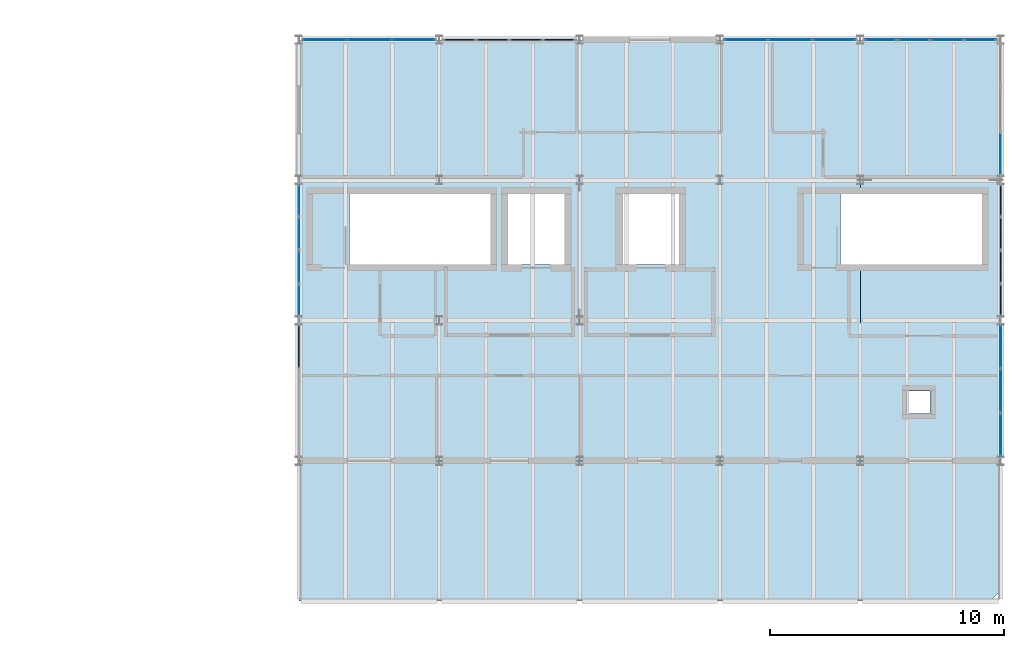
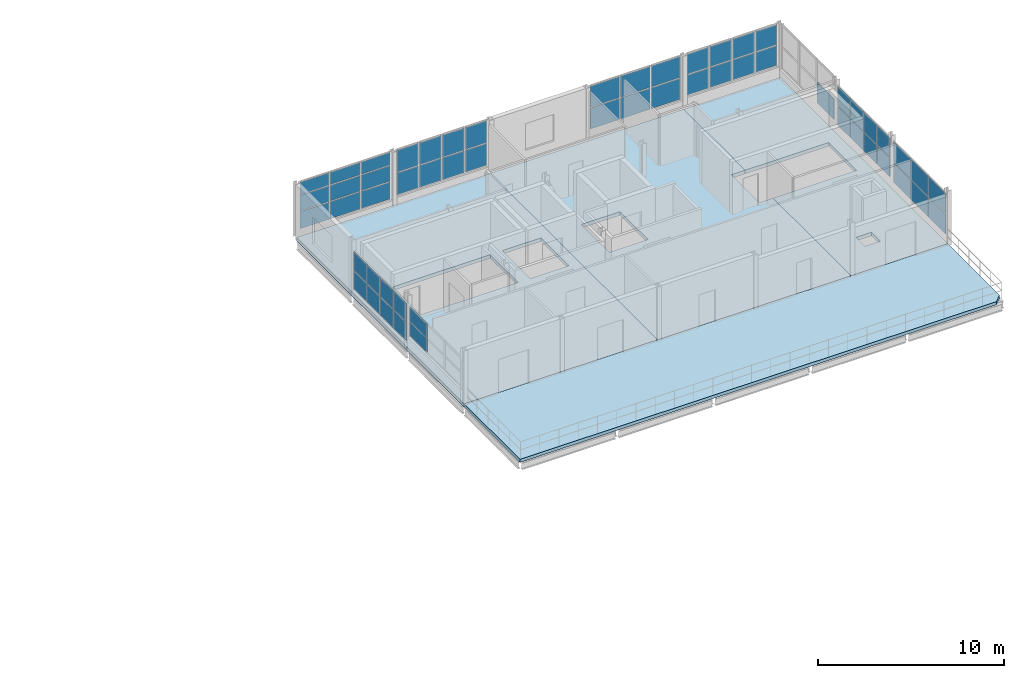
# One storey, part 11 of 20: 56 plates, 4 slabs, 9 elements without a shape of their own.
"""IFC4 building model written with IfcOpenShell, lengths in metres."""

from ifc_helpers import new_model, si_unit, direction, frame, origin, origin_2d, place, context, subcontext, project, spatial, polyline, rectangle, outline, extrude, material, layer, layer_set, type_object, element, aggregate, save


model = new_model("IFC4")

# Units and contexts
model_context = context("Model", 3, precision=1e-05, world=origin(), true_north=direction((0.0, 1.0)))
body_context = subcontext(model_context, "Body", "Model", "MODEL_VIEW")
ifc_project = project(units=[si_unit("LENGTHUNIT", "METRE"), si_unit("AREAUNIT", "SQUARE_METRE"), si_unit("VOLUMEUNIT", "CUBIC_METRE"), si_unit("PLANEANGLEUNIT", "RADIAN"), si_unit("MASSUNIT", "GRAM", prefix="KILO")], contexts=[model_context])

# Site, building, storey
site_placement = place(None, origin())
site = spatial("IfcSite", under=ifc_project, at=site_placement, CompositionType="ELEMENT")
building_placement = place(site_placement, origin())
building = spatial("IfcBuilding", under=site, at=building_placement, Name="Siltcreek Boulevard Central Fire Station", CompositionType="ELEMENT")
storey_placement = place(building_placement, frame((0.0, 0.0, 18.0)))
storey = spatial("IfcBuildingStorey", under=building, at=storey_placement, Name="L05", CompositionType="ELEMENT", Elevation=18.0)

# Curtain wall, plates
ifc_material_1 = material(Name="Anodized aluminum and low-E insulated glazing", Category="aluminium")
curtain_wall_type_1 = type_object("IfcCurtainWallType", Name="CW_SYS_28", PredefinedType="USERDEFINED", material=ifc_material_1)
curtain_wall_1_placement = place(storey_placement, origin())
curtain_wall_1 = element("IfcCurtainWall", 1, at=curtain_wall_1_placement, inside=storey, type_object=curtain_wall_type_1, Name="L05 V5 unitised curtain wall CW-177", ObjectType="CURTAIN WALL", PredefinedType="USERDEFINED")
ifc_material_2 = material(Name="Low-E double insulated glass unit", Category="glass")
ifc_layer_1 = layer(ifc_material_2, 0.028076171875, Name="Low-E double insulated glass unit")
ifc_layer_set_1 = layer_set([ifc_layer_1], Name="Low-E double insulated glass unit")
plate_type_1 = type_object("IfcPlateType", Name="CWP_GLZ_1", PredefinedType="CURTAIN_PANEL", material=ifc_layer_set_1)
plate_1_placement = place(storey_placement, frame((147.08837890625, 112.199951171875, 0.739990234375), z_axis=(0.0, 0.0, 1.0), x_axis=(-1.0, 0.0, 0.0)))
plate_1 = element("IfcPlate", 2, at=plate_1_placement, type_object=plate_type_1, Name="CW-177 panel 1.1", PredefinedType="CURTAIN_PANEL", context=body_context, shape_type="SweptSolid", body=[
    extrude(rectangle(XDim=1.813232421875, YDim=0.028076171875, at=origin_2d()), origin(), (0.0, 0.0, 1.0), 1.3701171875),
])
plate_2_placement = place(storey_placement, frame((147.08837890625, 112.199951171875, 2.169921875), z_axis=(0.0, 0.0, 1.0), x_axis=(-1.0, 0.0, 0.0)))
plate_2 = element("IfcPlate", 3, at=plate_2_placement, type_object=plate_type_1, Name="CW-177 panel 1.2", PredefinedType="CURTAIN_PANEL", context=body_context, shape_type="SweptSolid", body=[
    extrude(rectangle(XDim=1.813232421875, YDim=0.028076171875, at=origin_2d()), origin(), (0.0, 0.0, 1.0), 1.3701171875),
])
plate_3_placement = place(storey_placement, frame((145.199951171875, 112.199951171875, 0.739990234375), z_axis=(0.0, 0.0, 1.0), x_axis=(-1.0, 0.0, 0.0)))
plate_3 = element("IfcPlate", 4, at=plate_3_placement, type_object=plate_type_1, Name="CW-177 panel 2.1", PredefinedType="CURTAIN_PANEL", context=body_context, shape_type="SweptSolid", body=[
    extrude(rectangle(XDim=1.84326171875, YDim=0.028076171875, at=origin_2d()), origin(), (0.0, 0.0, 1.0), 1.3701171875),
])
plate_4_placement = place(storey_placement, frame((145.199951171875, 112.199951171875, 2.169921875), z_axis=(0.0, 0.0, 1.0), x_axis=(-1.0, 0.0, 0.0)))
plate_4 = element("IfcPlate", 5, at=plate_4_placement, type_object=plate_type_1, Name="CW-177 panel 2.2", PredefinedType="CURTAIN_PANEL", context=body_context, shape_type="SweptSolid", body=[
    extrude(rectangle(XDim=1.84326171875, YDim=0.028076171875, at=origin_2d()), origin(), (0.0, 0.0, 1.0), 1.3701171875),
])
plate_5_placement = place(storey_placement, frame((143.311767578125, 112.199951171875, 0.739990234375), z_axis=(0.0, 0.0, 1.0), x_axis=(-1.0, 0.0, 0.0)))
plate_5 = element("IfcPlate", 6, at=plate_5_placement, type_object=plate_type_1, Name="CW-177 panel 3.1", PredefinedType="CURTAIN_PANEL", context=body_context, shape_type="SweptSolid", body=[
    extrude(rectangle(XDim=1.813232421875, YDim=0.028076171875, at=origin_2d()), origin(), (0.0, 0.0, 1.0), 1.3701171875),
])
plate_6_placement = place(storey_placement, frame((143.311767578125, 112.199951171875, 2.169921875), z_axis=(0.0, 0.0, 1.0), x_axis=(-1.0, 0.0, 0.0)))
plate_6 = element("IfcPlate", 7, at=plate_6_placement, type_object=plate_type_1, Name="CW-177 panel 3.2", PredefinedType="CURTAIN_PANEL", context=body_context, shape_type="SweptSolid", body=[
    extrude(rectangle(XDim=1.813232421875, YDim=0.028076171875, at=origin_2d()), origin(), (0.0, 0.0, 1.0), 1.3701171875),
])
aggregate(curtain_wall_1, [plate_1, plate_2, plate_3, plate_4, plate_5, plate_6])

curtain_wall_type_2 = type_object("IfcCurtainWallType", Name="CW_SYS_01", PredefinedType="USERDEFINED", material=ifc_material_1)
curtain_wall_2_placement = place(storey_placement, origin())
curtain_wall_2 = element("IfcCurtainWall", 8, at=curtain_wall_2_placement, inside=storey, type_object=curtain_wall_type_2, Name="L05 V5 unitised curtain wall CW-180", ObjectType="CURTAIN WALL", PredefinedType="USERDEFINED")
plate_7_placement = place(storey_placement, frame((124.199951171875, 105.324951171875, 0.38525390625), z_axis=(0.0, 0.0, 1.0), x_axis=(0.0, -1.0, 0.0)))
plate_7 = element("IfcPlate", 9, at=plate_7_placement, type_object=plate_type_1, Name="CW-180 panel 1.1", PredefinedType="CURTAIN_PANEL", context=body_context, shape_type="SweptSolid", body=[
    extrude(rectangle(XDim=1.330078125, YDim=0.028076171875, at=origin_2d()), origin(), (0.0, 0.0, 1.0), 1.181884765625),
])
plate_8_placement = place(storey_placement, frame((124.199951171875, 105.324951171875, 1.6318359375), z_axis=(0.0, 0.0, 1.0), x_axis=(0.0, -1.0, 0.0)))
plate_8 = element("IfcPlate", 10, at=plate_8_placement, type_object=plate_type_1, Name="CW-180 panel 1.2", PredefinedType="CURTAIN_PANEL", context=body_context, shape_type="SweptSolid", body=[
    extrude(rectangle(XDim=1.330078125, YDim=0.028076171875, at=origin_2d()), origin(), (0.0, 0.0, 1.0), 1.181884765625),
])
plate_9_placement = place(storey_placement, frame((124.199951171875, 103.913818359375, 0.38525390625), z_axis=(0.0, 0.0, 1.0), x_axis=(0.0, -1.0, 0.0)))
plate_9 = element("IfcPlate", 11, at=plate_9_placement, type_object=plate_type_1, Name="CW-180 panel 2.1", PredefinedType="CURTAIN_PANEL", context=body_context, shape_type="SweptSolid", body=[
    extrude(rectangle(XDim=1.362548828125, YDim=0.028076171875, at=origin_2d()), origin(), (0.0, 0.0, 1.0), 1.181884765625),
])
plate_10_placement = place(storey_placement, frame((124.199951171875, 103.913818359375, 1.6318359375), z_axis=(0.0, 0.0, 1.0), x_axis=(0.0, -1.0, 0.0)))
plate_10 = element("IfcPlate", 12, at=plate_10_placement, type_object=plate_type_1, Name="CW-180 panel 2.2", PredefinedType="CURTAIN_PANEL", context=body_context, shape_type="SweptSolid", body=[
    extrude(rectangle(XDim=1.362548828125, YDim=0.028076171875, at=origin_2d()), origin(), (0.0, 0.0, 1.0), 1.181884765625),
])
plate_11_placement = place(storey_placement, frame((124.199951171875, 102.486328125, 0.38525390625), z_axis=(0.0, 0.0, 1.0), x_axis=(0.0, -1.0, 0.0)))
plate_11 = element("IfcPlate", 13, at=plate_11_placement, type_object=plate_type_1, Name="CW-180 panel 3.1", PredefinedType="CURTAIN_PANEL", context=body_context, shape_type="SweptSolid", body=[
    extrude(rectangle(XDim=1.362548828125, YDim=0.028076171875, at=origin_2d()), origin(), (0.0, 0.0, 1.0), 1.181884765625),
])
plate_12_placement = place(storey_placement, frame((124.199951171875, 102.486328125, 1.6318359375), z_axis=(0.0, 0.0, 1.0), x_axis=(0.0, -1.0, 0.0)))
plate_12 = element("IfcPlate", 14, at=plate_12_placement, type_object=plate_type_1, Name="CW-180 panel 3.2", PredefinedType="CURTAIN_PANEL", context=body_context, shape_type="SweptSolid", body=[
    extrude(rectangle(XDim=1.362548828125, YDim=0.028076171875, at=origin_2d()), origin(), (0.0, 0.0, 1.0), 1.181884765625),
])
plate_13_placement = place(storey_placement, frame((124.199951171875, 101.074951171875, 0.38525390625), z_axis=(0.0, 0.0, 1.0), x_axis=(0.0, -1.0, 0.0)))
plate_13 = element("IfcPlate", 15, at=plate_13_placement, type_object=plate_type_1, Name="CW-180 panel 4.1", PredefinedType="CURTAIN_PANEL", context=body_context, shape_type="SweptSolid", body=[
    extrude(rectangle(XDim=1.330078125, YDim=0.028076171875, at=origin_2d()), origin(), (0.0, 0.0, 1.0), 1.181884765625),
])
plate_14_placement = place(storey_placement, frame((124.199951171875, 101.074951171875, 1.6318359375), z_axis=(0.0, 0.0, 1.0), x_axis=(0.0, -1.0, 0.0)))
plate_14 = element("IfcPlate", 16, at=plate_14_placement, type_object=plate_type_1, Name="CW-180 panel 4.2", PredefinedType="CURTAIN_PANEL", context=body_context, shape_type="SweptSolid", body=[
    extrude(rectangle(XDim=1.330078125, YDim=0.028076171875, at=origin_2d()), origin(), (0.0, 0.0, 1.0), 1.181884765625),
])
aggregate(curtain_wall_2, [plate_7, plate_8, plate_9, plate_10, plate_11, plate_12, plate_13, plate_14])

# Curtain wall, plate
curtain_wall_type_3 = type_object("IfcCurtainWallType", Name="CW_SYS_04", PredefinedType="USERDEFINED", material=ifc_material_1)
curtain_wall_3_placement = place(storey_placement, origin())
curtain_wall_3 = element("IfcCurtainWall", 17, at=curtain_wall_3_placement, inside=storey, type_object=curtain_wall_type_3, Name="L05 V5 unitised curtain wall CW-183", ObjectType="CURTAIN WALL", PredefinedType="USERDEFINED")
plate_15_placement = place(storey_placement, frame((154.199951171875, 107.311767578125, 0.739990234375), z_axis=(0.0, 0.0, 1.0), x_axis=(0.0, 1.0, 0.0)))
plate_15 = element("IfcPlate", 18, at=plate_15_placement, type_object=plate_type_1, Name="CW-183 panel 1.1", PredefinedType="CURTAIN_PANEL", context=body_context, shape_type="SweptSolid", body=[
    extrude(rectangle(XDim=1.813232421875, YDim=0.028076171875, at=origin_2d()), origin(), (0.0, 0.0, 1.0), 1.3701171875),
])
aggregate(curtain_wall_3, [plate_15])

# Curtain wall, plates
curtain_wall_type_4 = type_object("IfcCurtainWallType", Name="CW_SYS_26", PredefinedType="USERDEFINED", material=ifc_material_1)
curtain_wall_4_placement = place(storey_placement, origin())
curtain_wall_4 = element("IfcCurtainWall", 19, at=curtain_wall_4_placement, inside=storey, type_object=curtain_wall_type_4, Name="L05 V5 unitised curtain wall CW-175", ObjectType="CURTAIN WALL", PredefinedType="USERDEFINED")
ifc_layer_2 = layer(ifc_material_2, 0.0380859375, Name="Low-E double insulated glass unit")
ifc_layer_set_2 = layer_set([ifc_layer_2], Name="Low-E double insulated glass unit")
plate_type_2 = type_object("IfcPlateType", Name="CWP_GLZ_2", PredefinedType="CURTAIN_PANEL", material=ifc_layer_set_2)
plate_16_placement = place(storey_placement, frame((129.08837890625, 112.199951171875, 0.5), z_axis=(0.0, 0.0, 1.0), x_axis=(-1.0, 0.0, 0.0)))
plate_16 = element("IfcPlate", 20, at=plate_16_placement, type_object=plate_type_2, Name="CW-175 panel 1.1", PredefinedType="CURTAIN_PANEL", context=body_context, shape_type="SweptSolid", body=[
    extrude(rectangle(XDim=1.813232421875, YDim=0.0380859375, at=origin_2d()), origin(), (0.0, 0.0, 1.0), 1.11083984375),
])
plate_17_placement = place(storey_placement, frame((129.08837890625, 112.199951171875, 1.6708984375), z_axis=(0.0, 0.0, 1.0), x_axis=(-1.0, 0.0, 0.0)))
plate_17 = element("IfcPlate", 21, at=plate_17_placement, type_object=plate_type_2, Name="CW-175 panel 1.2", PredefinedType="CURTAIN_PANEL", context=body_context, shape_type="SweptSolid", body=[
    extrude(rectangle(XDim=1.813232421875, YDim=0.0380859375, at=origin_2d()), origin(), (0.0, 0.0, 1.0), 1.014404296875),
])
plate_18_placement = place(storey_placement, frame((129.08837890625, 112.199951171875, 2.7451171875), z_axis=(0.0, 0.0, 1.0), x_axis=(-1.0, 0.0, 0.0)))
plate_18 = element("IfcPlate", 22, at=plate_18_placement, type_object=plate_type_2, Name="CW-175 panel 1.3", PredefinedType="CURTAIN_PANEL", context=body_context, shape_type="SweptSolid", body=[
    extrude(rectangle(XDim=1.813232421875, YDim=0.0380859375, at=origin_2d()), origin(), (0.0, 0.0, 1.0), 0.794921875),
])
plate_19_placement = place(storey_placement, frame((127.199951171875, 112.199951171875, 0.5), z_axis=(0.0, 0.0, 1.0), x_axis=(-1.0, 0.0, 0.0)))
plate_19 = element("IfcPlate", 23, at=plate_19_placement, type_object=plate_type_2, Name="CW-175 panel 2.1", PredefinedType="CURTAIN_PANEL", context=body_context, shape_type="SweptSolid", body=[
    extrude(rectangle(XDim=1.84326171875, YDim=0.0380859375, at=origin_2d()), origin(), (0.0, 0.0, 1.0), 1.11083984375),
])
plate_20_placement = place(storey_placement, frame((127.199951171875, 112.199951171875, 1.6708984375), z_axis=(0.0, 0.0, 1.0), x_axis=(-1.0, 0.0, 0.0)))
plate_20 = element("IfcPlate", 24, at=plate_20_placement, type_object=plate_type_2, Name="CW-175 panel 2.2", PredefinedType="CURTAIN_PANEL", context=body_context, shape_type="SweptSolid", body=[
    extrude(rectangle(XDim=1.84326171875, YDim=0.0380859375, at=origin_2d()), origin(), (0.0, 0.0, 1.0), 1.014404296875),
])
plate_21_placement = place(storey_placement, frame((127.199951171875, 112.199951171875, 2.7451171875), z_axis=(0.0, 0.0, 1.0), x_axis=(-1.0, 0.0, 0.0)))
plate_21 = element("IfcPlate", 25, at=plate_21_placement, type_object=plate_type_2, Name="CW-175 panel 2.3", PredefinedType="CURTAIN_PANEL", context=body_context, shape_type="SweptSolid", body=[
    extrude(rectangle(XDim=1.84326171875, YDim=0.0380859375, at=origin_2d()), origin(), (0.0, 0.0, 1.0), 0.794921875),
])
plate_22_placement = place(storey_placement, frame((125.311767578125, 112.199951171875, 0.5), z_axis=(0.0, 0.0, 1.0), x_axis=(-1.0, 0.0, 0.0)))
plate_22 = element("IfcPlate", 26, at=plate_22_placement, type_object=plate_type_2, Name="CW-175 panel 3.1", PredefinedType="CURTAIN_PANEL", context=body_context, shape_type="SweptSolid", body=[
    extrude(rectangle(XDim=1.813232421875, YDim=0.0380859375, at=origin_2d()), origin(), (0.0, 0.0, 1.0), 1.11083984375),
])
plate_23_placement = place(storey_placement, frame((125.311767578125, 112.199951171875, 1.6708984375), z_axis=(0.0, 0.0, 1.0), x_axis=(-1.0, 0.0, 0.0)))
plate_23 = element("IfcPlate", 27, at=plate_23_placement, type_object=plate_type_2, Name="CW-175 panel 3.2", PredefinedType="CURTAIN_PANEL", context=body_context, shape_type="SweptSolid", body=[
    extrude(rectangle(XDim=1.813232421875, YDim=0.0380859375, at=origin_2d()), origin(), (0.0, 0.0, 1.0), 1.014404296875),
])
plate_24_placement = place(storey_placement, frame((125.311767578125, 112.199951171875, 2.7451171875), z_axis=(0.0, 0.0, 1.0), x_axis=(-1.0, 0.0, 0.0)))
plate_24 = element("IfcPlate", 28, at=plate_24_placement, type_object=plate_type_2, Name="CW-175 panel 3.3", PredefinedType="CURTAIN_PANEL", context=body_context, shape_type="SweptSolid", body=[
    extrude(rectangle(XDim=1.813232421875, YDim=0.0380859375, at=origin_2d()), origin(), (0.0, 0.0, 1.0), 0.794921875),
])
aggregate(curtain_wall_4, [plate_16, plate_17, plate_18, plate_19, plate_20, plate_21, plate_22, plate_23, plate_24])

curtain_wall_type_5 = type_object("IfcCurtainWallType", Name="CW_SYS_29", PredefinedType="USERDEFINED", material=ifc_material_1)
curtain_wall_5_placement = place(storey_placement, origin())
curtain_wall_5 = element("IfcCurtainWall", 29, at=curtain_wall_5_placement, inside=storey, type_object=curtain_wall_type_5, Name="L05 V5 unitised curtain wall CW-178", ObjectType="CURTAIN WALL", PredefinedType="USERDEFINED")
plate_25_placement = place(storey_placement, frame((153.324951171875, 112.199951171875, 0.865234375), z_axis=(0.0, 0.0, 1.0), x_axis=(-1.0, 0.0, 0.0)))
plate_25 = element("IfcPlate", 30, at=plate_25_placement, type_object=plate_type_2, Name="CW-178 panel 1.1", PredefinedType="CURTAIN_PANEL", context=body_context, shape_type="SweptSolid", body=[
    extrude(rectangle(XDim=1.330078125, YDim=0.0380859375, at=origin_2d()), origin(), (0.0, 0.0, 1.0), 1.302490234375),
])
plate_26_placement = place(storey_placement, frame((153.324951171875, 112.199951171875, 2.232421875), z_axis=(0.0, 0.0, 1.0), x_axis=(-1.0, 0.0, 0.0)))
plate_26 = element("IfcPlate", 31, at=plate_26_placement, type_object=plate_type_2, Name="CW-178 panel 1.2", PredefinedType="CURTAIN_PANEL", context=body_context, shape_type="SweptSolid", body=[
    extrude(rectangle(XDim=1.330078125, YDim=0.0380859375, at=origin_2d()), origin(), (0.0, 0.0, 1.0), 1.302490234375),
])
plate_27_placement = place(storey_placement, frame((151.913818359375, 112.199951171875, 0.865234375), z_axis=(0.0, 0.0, 1.0), x_axis=(-1.0, 0.0, 0.0)))
plate_27 = element("IfcPlate", 32, at=plate_27_placement, type_object=plate_type_2, Name="CW-178 panel 2.1", PredefinedType="CURTAIN_PANEL", context=body_context, shape_type="SweptSolid", body=[
    extrude(rectangle(XDim=1.362548828125, YDim=0.0380859375, at=origin_2d()), origin(), (0.0, 0.0, 1.0), 1.302490234375),
])
plate_28_placement = place(storey_placement, frame((151.913818359375, 112.199951171875, 2.232421875), z_axis=(0.0, 0.0, 1.0), x_axis=(-1.0, 0.0, 0.0)))
plate_28 = element("IfcPlate", 33, at=plate_28_placement, type_object=plate_type_2, Name="CW-178 panel 2.2", PredefinedType="CURTAIN_PANEL", context=body_context, shape_type="SweptSolid", body=[
    extrude(rectangle(XDim=1.362548828125, YDim=0.0380859375, at=origin_2d()), origin(), (0.0, 0.0, 1.0), 1.302490234375),
])
plate_29_placement = place(storey_placement, frame((150.486328125, 112.199951171875, 0.865234375), z_axis=(0.0, 0.0, 1.0), x_axis=(-1.0, 0.0, 0.0)))
plate_29 = element("IfcPlate", 34, at=plate_29_placement, type_object=plate_type_2, Name="CW-178 panel 3.1", PredefinedType="CURTAIN_PANEL", context=body_context, shape_type="SweptSolid", body=[
    extrude(rectangle(XDim=1.362548828125, YDim=0.0380859375, at=origin_2d()), origin(), (0.0, 0.0, 1.0), 1.302490234375),
])
plate_30_placement = place(storey_placement, frame((150.486328125, 112.199951171875, 2.232421875), z_axis=(0.0, 0.0, 1.0), x_axis=(-1.0, 0.0, 0.0)))
plate_30 = element("IfcPlate", 35, at=plate_30_placement, type_object=plate_type_2, Name="CW-178 panel 3.2", PredefinedType="CURTAIN_PANEL", context=body_context, shape_type="SweptSolid", body=[
    extrude(rectangle(XDim=1.362548828125, YDim=0.0380859375, at=origin_2d()), origin(), (0.0, 0.0, 1.0), 1.302490234375),
])
plate_31_placement = place(storey_placement, frame((149.074951171875, 112.199951171875, 0.865234375), z_axis=(0.0, 0.0, 1.0), x_axis=(-1.0, 0.0, 0.0)))
plate_31 = element("IfcPlate", 36, at=plate_31_placement, type_object=plate_type_2, Name="CW-178 panel 4.1", PredefinedType="CURTAIN_PANEL", context=body_context, shape_type="SweptSolid", body=[
    extrude(rectangle(XDim=1.330078125, YDim=0.0380859375, at=origin_2d()), origin(), (0.0, 0.0, 1.0), 1.302490234375),
])
plate_32_placement = place(storey_placement, frame((149.074951171875, 112.199951171875, 2.232421875), z_axis=(0.0, 0.0, 1.0), x_axis=(-1.0, 0.0, 0.0)))
plate_32 = element("IfcPlate", 37, at=plate_32_placement, type_object=plate_type_2, Name="CW-178 panel 4.2", PredefinedType="CURTAIN_PANEL", context=body_context, shape_type="SweptSolid", body=[
    extrude(rectangle(XDim=1.330078125, YDim=0.0380859375, at=origin_2d()), origin(), (0.0, 0.0, 1.0), 1.302490234375),
])
aggregate(curtain_wall_5, [plate_25, plate_26, plate_27, plate_28, plate_29, plate_30, plate_31, plate_32])

curtain_wall_type_6 = type_object("IfcCurtainWallType", Name="CW_SYS_02", PredefinedType="USERDEFINED", material=ifc_material_1)
curtain_wall_6_placement = place(storey_placement, origin())
curtain_wall_6 = element("IfcCurtainWall", 38, at=curtain_wall_6_placement, inside=storey, type_object=curtain_wall_type_6, Name="L05 V5 unitised curtain wall CW-181", ObjectType="CURTAIN WALL", PredefinedType="USERDEFINED")
plate_33_placement = place(storey_placement, frame((154.199951171875, 95.311767578125, 0.5), z_axis=(0.0, 0.0, 1.0), x_axis=(0.0, 1.0, 0.0)))
plate_33 = element("IfcPlate", 39, at=plate_33_placement, type_object=plate_type_2, Name="CW-181 panel 1.1", PredefinedType="CURTAIN_PANEL", context=body_context, shape_type="SweptSolid", body=[
    extrude(rectangle(XDim=1.813232421875, YDim=0.0380859375, at=origin_2d()), origin(), (0.0, 0.0, 1.0), 1.299560546875),
])
plate_34_placement = place(storey_placement, frame((154.199951171875, 95.311767578125, 1.859375), z_axis=(0.0, 0.0, 1.0), x_axis=(0.0, 1.0, 0.0)))
plate_34 = element("IfcPlate", 40, at=plate_34_placement, type_object=plate_type_2, Name="CW-181 panel 1.2", PredefinedType="CURTAIN_PANEL", context=body_context, shape_type="SweptSolid", body=[
    extrude(rectangle(XDim=1.813232421875, YDim=0.0380859375, at=origin_2d()), origin(), (0.0, 0.0, 1.0), 1.299560546875),
])
plate_35_placement = place(storey_placement, frame((154.199951171875, 97.199951171875, 0.5), z_axis=(0.0, 0.0, 1.0), x_axis=(0.0, 1.0, 0.0)))
plate_35 = element("IfcPlate", 41, at=plate_35_placement, type_object=plate_type_2, Name="CW-181 panel 2.1", PredefinedType="CURTAIN_PANEL", context=body_context, shape_type="SweptSolid", body=[
    extrude(rectangle(XDim=1.84326171875, YDim=0.0380859375, at=origin_2d()), origin(), (0.0, 0.0, 1.0), 1.299560546875),
])
plate_36_placement = place(storey_placement, frame((154.199951171875, 97.199951171875, 1.859375), z_axis=(0.0, 0.0, 1.0), x_axis=(0.0, 1.0, 0.0)))
plate_36 = element("IfcPlate", 42, at=plate_36_placement, type_object=plate_type_2, Name="CW-181 panel 2.2", PredefinedType="CURTAIN_PANEL", context=body_context, shape_type="SweptSolid", body=[
    extrude(rectangle(XDim=1.84326171875, YDim=0.0380859375, at=origin_2d()), origin(), (0.0, 0.0, 1.0), 1.299560546875),
])
plate_37_placement = place(storey_placement, frame((154.199951171875, 99.08837890625, 0.5), z_axis=(0.0, 0.0, 1.0), x_axis=(0.0, 1.0, 0.0)))
plate_37 = element("IfcPlate", 43, at=plate_37_placement, type_object=plate_type_2, Name="CW-181 panel 3.1", PredefinedType="CURTAIN_PANEL", context=body_context, shape_type="SweptSolid", body=[
    extrude(rectangle(XDim=1.813232421875, YDim=0.0380859375, at=origin_2d()), origin(), (0.0, 0.0, 1.0), 1.299560546875),
])
plate_38_placement = place(storey_placement, frame((154.199951171875, 99.08837890625, 1.859375), z_axis=(0.0, 0.0, 1.0), x_axis=(0.0, 1.0, 0.0)))
plate_38 = element("IfcPlate", 44, at=plate_38_placement, type_object=plate_type_2, Name="CW-181 panel 3.2", PredefinedType="CURTAIN_PANEL", context=body_context, shape_type="SweptSolid", body=[
    extrude(rectangle(XDim=1.813232421875, YDim=0.0380859375, at=origin_2d()), origin(), (0.0, 0.0, 1.0), 1.299560546875),
])
aggregate(curtain_wall_6, [plate_33, plate_34, plate_35, plate_36, plate_37, plate_38])

curtain_wall_type_7 = type_object("IfcCurtainWallType", Name="CW_SYS_27", PredefinedType="USERDEFINED", material=ifc_material_1)
curtain_wall_7_placement = place(storey_placement, origin())
curtain_wall_7 = element("IfcCurtainWall", 45, at=curtain_wall_7_placement, inside=storey, type_object=curtain_wall_type_7, Name="L05 V5 unitised curtain wall CW-176", ObjectType="CURTAIN WALL", PredefinedType="USERDEFINED")
ifc_layer_3 = layer(ifc_material_2, 0.048095703125, Name="Low-E double insulated glass unit")
ifc_layer_set_3 = layer_set([ifc_layer_3], Name="Low-E double insulated glass unit")
plate_type_3 = type_object("IfcPlateType", Name="CWP_GLZ_3", PredefinedType="CURTAIN_PANEL", material=ifc_layer_set_3)
plate_39_placement = place(storey_placement, frame((135.324951171875, 112.199951171875, 0.625), z_axis=(0.0, 0.0, 1.0), x_axis=(-1.0, 0.0, 0.0)))
plate_39 = element("IfcPlate", 46, at=plate_39_placement, type_object=plate_type_3, Name="CW-176 panel 1.1", PredefinedType="CURTAIN_PANEL", context=body_context, shape_type="SweptSolid", body=[
    extrude(rectangle(XDim=1.330078125, YDim=0.048095703125, at=origin_2d()), origin(), (0.0, 0.0, 1.0), 1.422607421875),
])
plate_40_placement = place(storey_placement, frame((135.324951171875, 112.199951171875, 2.1123046875), z_axis=(0.0, 0.0, 1.0), x_axis=(-1.0, 0.0, 0.0)))
plate_40 = element("IfcPlate", 47, at=plate_40_placement, type_object=plate_type_3, Name="CW-176 panel 1.2", PredefinedType="CURTAIN_PANEL", context=body_context, shape_type="SweptSolid", body=[
    extrude(rectangle(XDim=1.330078125, YDim=0.048095703125, at=origin_2d()), origin(), (0.0, 0.0, 1.0), 1.422607421875),
])
plate_41_placement = place(storey_placement, frame((133.913818359375, 112.199951171875, 0.625), z_axis=(0.0, 0.0, 1.0), x_axis=(-1.0, 0.0, 0.0)))
plate_41 = element("IfcPlate", 48, at=plate_41_placement, type_object=plate_type_3, Name="CW-176 panel 2.1", PredefinedType="CURTAIN_PANEL", context=body_context, shape_type="SweptSolid", body=[
    extrude(rectangle(XDim=1.362548828125, YDim=0.048095703125, at=origin_2d()), origin(), (0.0, 0.0, 1.0), 1.422607421875),
])
plate_42_placement = place(storey_placement, frame((133.913818359375, 112.199951171875, 2.1123046875), z_axis=(0.0, 0.0, 1.0), x_axis=(-1.0, 0.0, 0.0)))
plate_42 = element("IfcPlate", 49, at=plate_42_placement, type_object=plate_type_3, Name="CW-176 panel 2.2", PredefinedType="CURTAIN_PANEL", context=body_context, shape_type="SweptSolid", body=[
    extrude(rectangle(XDim=1.362548828125, YDim=0.048095703125, at=origin_2d()), origin(), (0.0, 0.0, 1.0), 1.422607421875),
])
plate_43_placement = place(storey_placement, frame((132.486328125, 112.199951171875, 0.625), z_axis=(0.0, 0.0, 1.0), x_axis=(-1.0, 0.0, 0.0)))
plate_43 = element("IfcPlate", 50, at=plate_43_placement, type_object=plate_type_3, Name="CW-176 panel 3.1", PredefinedType="CURTAIN_PANEL", context=body_context, shape_type="SweptSolid", body=[
    extrude(rectangle(XDim=1.362548828125, YDim=0.048095703125, at=origin_2d()), origin(), (0.0, 0.0, 1.0), 1.422607421875),
])
plate_44_placement = place(storey_placement, frame((132.486328125, 112.199951171875, 2.1123046875), z_axis=(0.0, 0.0, 1.0), x_axis=(-1.0, 0.0, 0.0)))
plate_44 = element("IfcPlate", 51, at=plate_44_placement, type_object=plate_type_3, Name="CW-176 panel 3.2", PredefinedType="CURTAIN_PANEL", context=body_context, shape_type="SweptSolid", body=[
    extrude(rectangle(XDim=1.362548828125, YDim=0.048095703125, at=origin_2d()), origin(), (0.0, 0.0, 1.0), 1.422607421875),
])
plate_45_placement = place(storey_placement, frame((131.074951171875, 112.199951171875, 0.625), z_axis=(0.0, 0.0, 1.0), x_axis=(-1.0, 0.0, 0.0)))
plate_45 = element("IfcPlate", 52, at=plate_45_placement, type_object=plate_type_3, Name="CW-176 panel 4.1", PredefinedType="CURTAIN_PANEL", context=body_context, shape_type="SweptSolid", body=[
    extrude(rectangle(XDim=1.330078125, YDim=0.048095703125, at=origin_2d()), origin(), (0.0, 0.0, 1.0), 1.422607421875),
])
plate_46_placement = place(storey_placement, frame((131.074951171875, 112.199951171875, 2.1123046875), z_axis=(0.0, 0.0, 1.0), x_axis=(-1.0, 0.0, 0.0)))
plate_46 = element("IfcPlate", 53, at=plate_46_placement, type_object=plate_type_3, Name="CW-176 panel 4.2", PredefinedType="CURTAIN_PANEL", context=body_context, shape_type="SweptSolid", body=[
    extrude(rectangle(XDim=1.330078125, YDim=0.048095703125, at=origin_2d()), origin(), (0.0, 0.0, 1.0), 1.422607421875),
])
aggregate(curtain_wall_7, [plate_39, plate_40, plate_41, plate_42, plate_43, plate_44, plate_45, plate_46])

curtain_wall_type_8 = type_object("IfcCurtainWallType", Name="CW_SYS_30", PredefinedType="USERDEFINED", material=ifc_material_1)
curtain_wall_8_placement = place(storey_placement, origin())
curtain_wall_8 = element("IfcCurtainWall", 54, at=curtain_wall_8_placement, inside=storey, type_object=curtain_wall_type_8, Name="L05 V5 unitised curtain wall CW-179", ObjectType="CURTAIN WALL", PredefinedType="USERDEFINED")
plate_47_placement = place(storey_placement, frame((124.199951171875, 99.08837890625, 0.97998046875), z_axis=(0.0, 0.0, 1.0), x_axis=(0.0, -1.0, 0.0)))
plate_47 = element("IfcPlate", 55, at=plate_47_placement, type_object=plate_type_3, Name="CW-179 panel 1.1", PredefinedType="CURTAIN_PANEL", context=body_context, shape_type="SweptSolid", body=[
    extrude(rectangle(XDim=1.813232421875, YDim=0.048095703125, at=origin_2d()), origin(), (0.0, 0.0, 1.0), 0.889404296875),
])
plate_48_placement = place(storey_placement, frame((124.199951171875, 99.08837890625, 1.9296875), z_axis=(0.0, 0.0, 1.0), x_axis=(0.0, -1.0, 0.0)))
plate_48 = element("IfcPlate", 56, at=plate_48_placement, type_object=plate_type_3, Name="CW-179 panel 1.2", PredefinedType="CURTAIN_PANEL", context=body_context, shape_type="SweptSolid", body=[
    extrude(rectangle(XDim=1.813232421875, YDim=0.048095703125, at=origin_2d()), origin(), (0.0, 0.0, 1.0), 0.889404296875),
])
aggregate(curtain_wall_8, [plate_47, plate_48])

curtain_wall_type_9 = type_object("IfcCurtainWallType", Name="CW_SYS_03", PredefinedType="USERDEFINED", material=ifc_material_1)
curtain_wall_9_placement = place(storey_placement, origin())
curtain_wall_9 = element("IfcCurtainWall", 57, at=curtain_wall_9_placement, inside=storey, type_object=curtain_wall_type_9, Name="L05 V5 unitised curtain wall CW-182", ObjectType="CURTAIN WALL", PredefinedType="USERDEFINED")
plate_49_placement = place(storey_placement, frame((154.199951171875, 101.074951171875, 0.625), z_axis=(0.0, 0.0, 1.0), x_axis=(0.0, 1.0, 0.0)))
plate_49 = element("IfcPlate", 58, at=plate_49_placement, type_object=plate_type_3, Name="CW-182 panel 1.1", PredefinedType="CURTAIN_PANEL", context=body_context, shape_type="SweptSolid", body=[
    extrude(rectangle(XDim=1.330078125, YDim=0.048095703125, at=origin_2d()), origin(), (0.0, 0.0, 1.0), 1.23193359375),
])
plate_50_placement = place(storey_placement, frame((154.199951171875, 101.074951171875, 1.922119140625), z_axis=(0.0, 0.0, 1.0), x_axis=(0.0, 1.0, 0.0)))
plate_50 = element("IfcPlate", 59, at=plate_50_placement, type_object=plate_type_3, Name="CW-182 panel 1.2", PredefinedType="CURTAIN_PANEL", context=body_context, shape_type="SweptSolid", body=[
    extrude(rectangle(XDim=1.330078125, YDim=0.048095703125, at=origin_2d()), origin(), (0.0, 0.0, 1.0), 1.23193359375),
])
plate_51_placement = place(storey_placement, frame((154.199951171875, 102.486328125, 0.625), z_axis=(0.0, 0.0, 1.0), x_axis=(0.0, 1.0, 0.0)))
plate_51 = element("IfcPlate", 60, at=plate_51_placement, type_object=plate_type_3, Name="CW-182 panel 2.1", PredefinedType="CURTAIN_PANEL", context=body_context, shape_type="SweptSolid", body=[
    extrude(rectangle(XDim=1.362548828125, YDim=0.048095703125, at=origin_2d()), origin(), (0.0, 0.0, 1.0), 1.23193359375),
])
plate_52_placement = place(storey_placement, frame((154.199951171875, 102.486328125, 1.922119140625), z_axis=(0.0, 0.0, 1.0), x_axis=(0.0, 1.0, 0.0)))
plate_52 = element("IfcPlate", 61, at=plate_52_placement, type_object=plate_type_3, Name="CW-182 panel 2.2", PredefinedType="CURTAIN_PANEL", context=body_context, shape_type="SweptSolid", body=[
    extrude(rectangle(XDim=1.362548828125, YDim=0.048095703125, at=origin_2d()), origin(), (0.0, 0.0, 1.0), 1.23193359375),
])
plate_53_placement = place(storey_placement, frame((154.199951171875, 103.913818359375, 0.625), z_axis=(0.0, 0.0, 1.0), x_axis=(0.0, 1.0, 0.0)))
plate_53 = element("IfcPlate", 62, at=plate_53_placement, type_object=plate_type_3, Name="CW-182 panel 3.1", PredefinedType="CURTAIN_PANEL", context=body_context, shape_type="SweptSolid", body=[
    extrude(rectangle(XDim=1.362548828125, YDim=0.048095703125, at=origin_2d()), origin(), (0.0, 0.0, 1.0), 1.23193359375),
])
plate_54_placement = place(storey_placement, frame((154.199951171875, 103.913818359375, 1.922119140625), z_axis=(0.0, 0.0, 1.0), x_axis=(0.0, 1.0, 0.0)))
plate_54 = element("IfcPlate", 63, at=plate_54_placement, type_object=plate_type_3, Name="CW-182 panel 3.2", PredefinedType="CURTAIN_PANEL", context=body_context, shape_type="SweptSolid", body=[
    extrude(rectangle(XDim=1.362548828125, YDim=0.048095703125, at=origin_2d()), origin(), (0.0, 0.0, 1.0), 1.23193359375),
])
plate_55_placement = place(storey_placement, frame((154.199951171875, 105.324951171875, 0.625), z_axis=(0.0, 0.0, 1.0), x_axis=(0.0, 1.0, 0.0)))
plate_55 = element("IfcPlate", 64, at=plate_55_placement, type_object=plate_type_3, Name="CW-182 panel 4.1", PredefinedType="CURTAIN_PANEL", context=body_context, shape_type="SweptSolid", body=[
    extrude(rectangle(XDim=1.330078125, YDim=0.048095703125, at=origin_2d()), origin(), (0.0, 0.0, 1.0), 1.23193359375),
])
plate_56_placement = place(storey_placement, frame((154.199951171875, 105.324951171875, 1.922119140625), z_axis=(0.0, 0.0, 1.0), x_axis=(0.0, 1.0, 0.0)))
plate_56 = element("IfcPlate", 65, at=plate_56_placement, type_object=plate_type_3, Name="CW-182 panel 4.2", PredefinedType="CURTAIN_PANEL", context=body_context, shape_type="SweptSolid", body=[
    extrude(rectangle(XDim=1.330078125, YDim=0.048095703125, at=origin_2d()), origin(), (0.0, 0.0, 1.0), 1.23193359375),
])
aggregate(curtain_wall_9, [plate_49, plate_50, plate_51, plate_52, plate_53, plate_54, plate_55, plate_56])

# Slabs
ifc_material_3 = material(Name="Concrete C35/45", Category="concrete")
ifc_layer_4 = layer(ifc_material_3, 0.239990234375, Name="Concrete C35/45")
ifc_layer_set_4 = layer_set([ifc_layer_4], Name="Concrete C35/45")
slab_type_1 = type_object("IfcSlabType", Name="SL_FLR240", PredefinedType="FLOOR", material=ifc_layer_set_4)
slab_1_placement = place(storey_placement, frame((0.0, 0.0, -0.239990234375)))
element("IfcSlab", 66, at=slab_1_placement, inside=storey, type_object=slab_type_1, Name="L05 V5 structural floor slab SL-053", PredefinedType="FLOOR", context=body_context, shape_type="SweptSolid", body=[
    extrude(outline(polyline([(124.199951171875, 112.199951171875), (136.199951171875, 112.199951171875), (136.199951171875, 94.199951171875), (124.199951171875, 94.199951171875), (124.199951171875, 112.199951171875)]), holes=[polyline([(132.39990234375, 105.60009765625), (126.360107421875, 105.60009765625), (126.360107421875, 102.60009765625), (132.39990234375, 102.60009765625), (132.39990234375, 105.60009765625)]), polyline([(135.550048828125, 105.60009765625), (133.14990234375, 105.60009765625), (133.14990234375, 102.60009765625), (135.550048828125, 102.60009765625), (135.550048828125, 105.60009765625)])]), origin(), (0.0, 0.0, 1.0), 0.239990234375),
])
slab_2_placement = place(storey_placement, frame((0.0, 0.0, -0.239990234375)))
element("IfcSlab", 67, at=slab_2_placement, inside=storey, type_object=slab_type_1, Name="L05 V5 structural floor slab SL-054", PredefinedType="FLOOR", context=body_context, shape_type="SweptSolid", body=[
    extrude(outline(polyline([(148.199951171875, 94.199951171875), (136.199951171875, 94.199951171875), (136.199951171875, 112.199951171875), (148.199951171875, 112.199951171875), (148.199951171875, 105.60009765625), (147.360107421875, 105.60009765625), (147.360107421875, 102.60009765625), (148.199951171875, 102.60009765625), (148.199951171875, 94.199951171875)]), holes=[polyline([(140.449951171875, 105.60009765625), (138.050048828125, 105.60009765625), (138.050048828125, 102.60009765625), (140.449951171875, 102.60009765625), (140.449951171875, 105.60009765625)])]), origin(), (0.0, 0.0, 1.0), 0.239990234375),
])
slab_3_placement = place(storey_placement, frame((0.0, 0.0, -0.239990234375)))
element("IfcSlab", 68, at=slab_3_placement, inside=storey, type_object=slab_type_1, Name="L05 V5 structural floor slab SL-055", PredefinedType="FLOOR", context=body_context, shape_type="SweptSolid", body=[
    extrude(outline(polyline([(154.199951171875, 112.199951171875), (154.199951171875, 94.199951171875), (148.199951171875, 94.199951171875), (148.199951171875, 102.60009765625), (153.39990234375, 102.60009765625), (153.39990234375, 105.60009765625), (148.199951171875, 105.60009765625), (148.199951171875, 112.199951171875), (154.199951171875, 112.199951171875)]), holes=[polyline([(151.179931640625, 97.179931640625), (150.219970703125, 97.179931640625), (150.219970703125, 96.219970703125), (151.179931640625, 96.219970703125), (151.179931640625, 97.179931640625)])]), origin(), (0.0, 0.0, 1.0), 0.239990234375),
])
ifc_layer_5 = layer(ifc_material_3, 0.2099609375, Name="Concrete C35/45")
ifc_layer_set_5 = layer_set([ifc_layer_5], Name="Concrete C35/45")
slab_type_2 = type_object("IfcSlabType", Name="SL_TER210", PredefinedType="FLOOR", material=ifc_layer_set_5)
slab_4_placement = place(storey_placement, frame((0.0, 0.0, -0.2099609375)))
element("IfcSlab", 69, at=slab_4_placement, inside=storey, type_object=slab_type_2, Name="L05 V5 outdoor crew terrace slab TR-056", PredefinedType="FLOOR", context=body_context, shape_type="SweptSolid", body=[
    extrude(outline(polyline([(124.199951171875, 88.199951171875), (153.75, 88.199951171875), (154.199951171875, 88.64990234375), (154.199951171875, 94.199951171875), (124.199951171875, 94.199951171875), (124.199951171875, 88.199951171875)])), origin(), (0.0, 0.0, 1.0), 0.2099609375),
])

save(model, "model.ifc")
